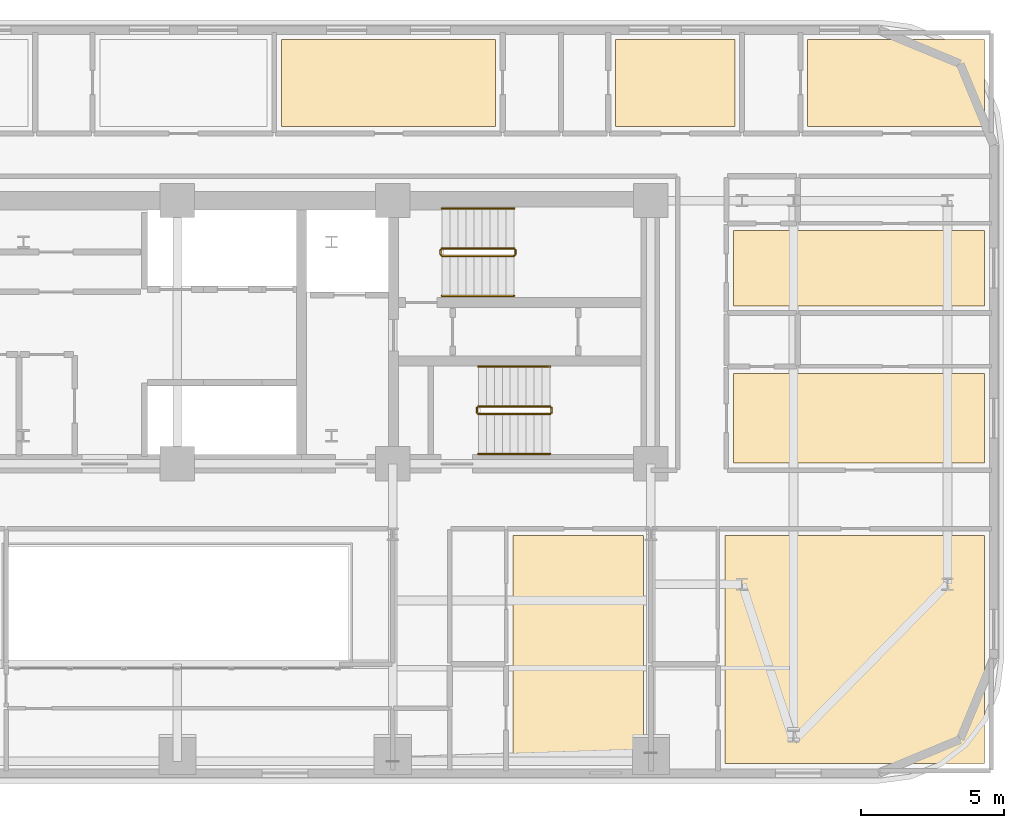
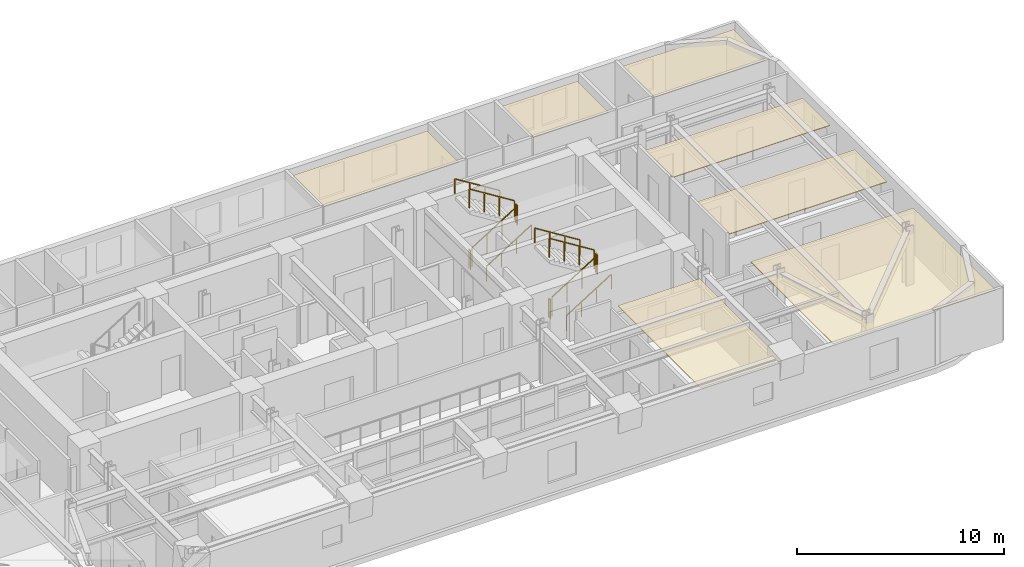
# One storey, part 16 of 16: 12 railings, 7 coverings.
"""IFC4 building model written with IfcOpenShell, lengths in metres."""

from ifc_helpers import new_model, si_unit, direction, frame, origin, origin_2d, place, context, subcontext, project, spatial, polyline, rectangle, outline, extrude, material, layer, layer_set, type_object, element, save


model = new_model("IFC4")

# Units and contexts
model_context = context("Model", 3, precision=1e-05, world=origin(), true_north=direction((0.0, 1.0)))
body_context = subcontext(model_context, "Body", "Model", "MODEL_VIEW")
ifc_project = project(units=[si_unit("LENGTHUNIT", "METRE"), si_unit("AREAUNIT", "SQUARE_METRE"), si_unit("VOLUMEUNIT", "CUBIC_METRE"), si_unit("PLANEANGLEUNIT", "RADIAN"), si_unit("MASSUNIT", "GRAM", prefix="KILO")], contexts=[model_context])

# Site, building, storey
site_placement = place(None, origin())
site = spatial("IfcSite", under=ifc_project, at=site_placement, CompositionType="ELEMENT")
building_placement = place(site_placement, origin())
building = spatial("IfcBuilding", under=site, at=building_placement, Name="Zarnavel Station Tower", CompositionType="ELEMENT")
storey_placement = place(building_placement, frame((0.0, 0.0, 94.300048828125)))
storey = spatial("IfcBuildingStorey", under=building, at=storey_placement, Name="L25", CompositionType="ELEMENT", Elevation=94.300048828125)

# Coverings
ifc_material_1 = material(Name="Perforated Gypsum and Mineral-Wool Acoustic Ceiling", Category="concrete")
ifc_layer = layer(ifc_material_1, 0.0400390625)
ifc_layer_set = layer_set([ifc_layer], Name="COV_CEIL_ACOUSTIC")
covering_type = type_object("IfcCoveringType", Name="COV_CEIL_ACOUSTIC", PredefinedType="CEILING", material=ifc_layer_set)
covering_1_placement = place(storey_placement, frame((0.0, 0.0, 2.919921875)))
element("IfcCovering", 1, at=covering_1_placement, inside=storey, type_object=covering_type, Name="L25 FNE1R Acoustic Ceiling", PredefinedType="CEILING", context=body_context, shape_type="SweptSolid", body=[
    extrude(outline(polyline([(48.300048828125, 27.85009765625), (57.090087890625, 27.85009765625), (57.090087890625, 30.986083984375), (48.300048828125, 30.986083984375), (48.300048828125, 27.85009765625)])), origin(), (0.0, 0.0, 1.0), 0.0400390625),
])
covering_2_placement = place(storey_placement, frame((0.0, 0.0, 2.919921875)))
element("IfcCovering", 2, at=covering_2_placement, inside=storey, type_object=covering_type, Name="L25 FNE2R Acoustic Ceiling", PredefinedType="CEILING", context=body_context, shape_type="SweptSolid", body=[
    extrude(outline(polyline([(48.300048828125, 33.35888671875), (57.090087890625, 33.35888671875), (57.090087890625, 36.0), (48.300048828125, 36.0), (48.300048828125, 33.35888671875)])), origin(), (0.0, 0.0, 1.0), 0.0400390625),
])
covering_3_placement = place(storey_placement, frame((0.0, 0.0, 2.919921875)))
element("IfcCovering", 3, at=covering_3_placement, inside=storey, type_object=covering_type, Name="L25 HN4R Acoustic Ceiling", PredefinedType="CEILING", context=body_context, shape_type="SweptSolid", body=[
    extrude(outline(polyline([(32.449951171875, 39.64990234375), (39.9560546875, 39.64990234375), (39.9560546875, 42.68994140625), (32.449951171875, 42.68994140625), (32.449951171875, 39.64990234375)])), origin(), (0.0, 0.0, 1.0), 0.0400390625),
])
covering_4_placement = place(storey_placement, frame((0.0, 0.0, 2.919921875)))
element("IfcCovering", 4, at=covering_4_placement, inside=storey, type_object=covering_type, Name="L25 HN5R Acoustic Ceiling", PredefinedType="CEILING", context=body_context, shape_type="SweptSolid", body=[
    extrude(outline(polyline([(44.156005859375, 39.64990234375), (48.35009765625, 39.64990234375), (48.35009765625, 42.68994140625), (44.156005859375, 42.68994140625), (44.156005859375, 39.64990234375)])), origin(), (0.0, 0.0, 1.0), 0.0400390625),
])
covering_5_placement = place(storey_placement, frame((0.0, 0.0, 2.919921875)))
element("IfcCovering", 5, at=covering_5_placement, inside=storey, type_object=covering_type, Name="L25 HN6R Acoustic Ceiling", PredefinedType="CEILING", context=body_context, shape_type="SweptSolid", body=[
    extrude(outline(polyline([(50.89990234375, 39.64990234375), (57.090087890625, 39.64990234375), (57.090087890625, 42.68994140625), (50.89990234375, 42.68994140625), (50.89990234375, 39.64990234375)])), origin(), (0.0, 0.0, 1.0), 0.0400390625),
])
covering_6_placement = place(storey_placement, frame((0.0, 0.0, 2.919921875)))
element("IfcCovering", 6, at=covering_6_placement, inside=storey, type_object=covering_type, Name="L25 HE1R Acoustic Ceiling", PredefinedType="CEILING", context=body_context, shape_type="SweptSolid", body=[
    extrude(outline(polyline([(40.573974609375, 17.31005859375), (45.14990234375, 17.31005859375), (45.14990234375, 25.300048828125), (40.573974609375, 25.300048828125), (40.573974609375, 17.31005859375)])), origin(), (0.0, 0.0, 1.0), 0.0400390625),
])
covering_7_placement = place(storey_placement, frame((0.0, 0.0, 2.919921875)))
element("IfcCovering", 7, at=covering_7_placement, inside=storey, type_object=covering_type, Name="L25 HE2R Acoustic Ceiling", PredefinedType="CEILING", context=body_context, shape_type="SweptSolid", body=[
    extrude(outline(polyline([(48.0, 17.31005859375), (57.090087890625, 17.31005859375), (57.090087890625, 25.300048828125), (48.0, 25.300048828125), (48.0, 17.31005859375)])), origin(), (0.0, 0.0, 1.0), 0.0400390625),
])

# Railings
ifc_material_2 = material(Name="Painted Steel S355J2 Balustrade", Category="steel")
railing_type_1 = type_object("IfcRailingType", Name="GR_INT_1150", PredefinedType="GUARDRAIL", material=ifc_material_2)
railing_1_placement = place(storey_placement, frame((38.080078125, 35.110107421875, 0.175048828125)))
element("IfcRailing", 8, at=railing_1_placement, inside=storey, type_object=railing_type_1, Name="L25 ST2 stair guard 1", PredefinedType="GUARDRAIL", context=body_context, shape_type="SweptSolid", body=[
    extrude(rectangle(XDim=0.048095703125, YDim=0.048095703125, at=origin_2d()), frame((0.001708984375, 0.0, 1.126953125), z_axis=(0.848007534815, 0.0, 0.529984170421), x_axis=(0.0, 1.0, 0.0)), (0.0, 0.0, 1.0), 2.9677734375),
    extrude(rectangle(XDim=0.0419921875, YDim=0.0419921875, at=origin_2d()), origin(), (0.0, 0.0, 1.0), 1.101806640625),
    extrude(rectangle(XDim=0.0419921875, YDim=0.0419921875, at=origin_2d()), frame((0.840087890625, 0.0, 0.52490234375)), (0.0, 0.0, 1.0), 1.101806640625),
    extrude(rectangle(XDim=0.0419921875, YDim=0.0419921875, at=origin_2d()), frame((1.679931640625, 0.0, 1.050048828125)), (0.0, 0.0, 1.0), 1.101806640625),
    extrude(rectangle(XDim=0.0419921875, YDim=0.0419921875, at=origin_2d()), frame((2.52001953125, 0.0, 1.574951171875)), (0.0, 0.0, 1.0), 1.101806640625),
])
railing_2_placement = place(storey_placement, frame((40.64990234375, 35.159912109375, 1.75)))
element("IfcRailing", 9, at=railing_2_placement, inside=storey, type_object=railing_type_1, Name="L25 ST2 stair guard 2", PredefinedType="GUARDRAIL", context=body_context, shape_type="SweptSolid", body=[
    extrude(rectangle(XDim=0.048095703125, YDim=0.048095703125, at=origin_2d()), frame((0.0, 0.001953125, 1.1259765625), z_axis=(0.0, 1.0, 0.0), x_axis=(-1.0, 0.0, 0.0)), (0.0, 0.0, 1.0), 0.15625),
    extrude(rectangle(XDim=0.0419921875, YDim=0.0419921875, at=origin_2d()), origin(), (0.0, 0.0, 1.0), 1.101806640625),
    extrude(rectangle(XDim=0.0419921875, YDim=0.0419921875, at=origin_2d()), frame((0.0, 0.16015625, 0.0)), (0.0, 0.0, 1.0), 1.101806640625),
])
railing_3_placement = place(storey_placement, frame((40.60009765625, 35.3701171875, 1.925048828125)))
element("IfcRailing", 10, at=railing_3_placement, inside=storey, type_object=railing_type_1, Name="L25 ST2 stair guard 3", PredefinedType="GUARDRAIL", context=body_context, shape_type="SweptSolid", body=[
    extrude(rectangle(XDim=0.048095703125, YDim=0.048095703125, at=origin_2d()), frame((-0.001708984375, 0.0, 1.126953125), z_axis=(-0.848007534815, 0.0, 0.529984170421), x_axis=(0.0, -1.0, 0.0)), (0.0, 0.0, 1.0), 2.9677734375),
    extrude(rectangle(XDim=0.0419921875, YDim=0.0419921875, at=origin_2d()), origin(), (0.0, 0.0, 1.0), 1.101806640625),
    extrude(rectangle(XDim=0.0419921875, YDim=0.0419921875, at=origin_2d()), frame((-0.840087890625, 0.0, 0.52490234375)), (0.0, 0.0, 1.0), 1.101806640625),
    extrude(rectangle(XDim=0.0419921875, YDim=0.0419921875, at=origin_2d()), frame((-1.679931640625, 0.0, 1.050048828125)), (0.0, 0.0, 1.0), 1.101806640625),
    extrude(rectangle(XDim=0.0419921875, YDim=0.0419921875, at=origin_2d()), frame((-2.52001953125, 0.0, 1.574951171875)), (0.0, 0.0, 1.0), 1.101806640625),
])
railing_4_placement = place(storey_placement, frame((38.030029296875, 35.159912109375, 0.0)))
element("IfcRailing", 11, at=railing_4_placement, inside=storey, type_object=railing_type_1, Name="L25 ST2 stair guard 4", PredefinedType="GUARDRAIL", context=body_context, shape_type="SweptSolid", body=[
    extrude(rectangle(XDim=0.048095703125, YDim=0.048095703125, at=origin_2d()), frame((0.0, 0.001953125, 1.1259765625), z_axis=(0.0, 1.0, 0.0), x_axis=(-1.0, 0.0, 0.0)), (0.0, 0.0, 1.0), 0.15625),
    extrude(rectangle(XDim=0.0419921875, YDim=0.0419921875, at=origin_2d()), origin(), (0.0, 0.0, 1.0), 1.101806640625),
    extrude(rectangle(XDim=0.0419921875, YDim=0.0419921875, at=origin_2d()), frame((0.0, 0.16015625, 0.0)), (0.0, 0.0, 1.0), 1.101806640625),
])
railing_5_placement = place(storey_placement, frame((39.35009765625, 29.570068359375, 0.175048828125)))
element("IfcRailing", 12, at=railing_5_placement, inside=storey, type_object=railing_type_1, Name="L25 ST3 stair guard 1", PredefinedType="GUARDRAIL", context=body_context, shape_type="SweptSolid", body=[
    extrude(rectangle(XDim=0.048095703125, YDim=0.048095703125, at=origin_2d()), frame((0.001708984375, 0.0, 1.126953125), z_axis=(0.848007534815, 0.0, 0.529984170421), x_axis=(0.0, 1.0, 0.0)), (0.0, 0.0, 1.0), 2.9677734375),
    extrude(rectangle(XDim=0.0419921875, YDim=0.0419921875, at=origin_2d()), origin(), (0.0, 0.0, 1.0), 1.101806640625),
    extrude(rectangle(XDim=0.0419921875, YDim=0.0419921875, at=origin_2d()), frame((0.840087890625, 0.0, 0.52490234375)), (0.0, 0.0, 1.0), 1.101806640625),
    extrude(rectangle(XDim=0.0419921875, YDim=0.0419921875, at=origin_2d()), frame((1.679931640625, 0.0, 1.050048828125)), (0.0, 0.0, 1.0), 1.101806640625),
    extrude(rectangle(XDim=0.0419921875, YDim=0.0419921875, at=origin_2d()), frame((2.52001953125, 0.0, 1.574951171875)), (0.0, 0.0, 1.0), 1.101806640625),
])
railing_6_placement = place(storey_placement, frame((41.919921875, 29.6201171875, 1.75)))
element("IfcRailing", 13, at=railing_6_placement, inside=storey, type_object=railing_type_1, Name="L25 ST3 stair guard 2", PredefinedType="GUARDRAIL", context=body_context, shape_type="SweptSolid", body=[
    extrude(rectangle(XDim=0.048095703125, YDim=0.048095703125, at=origin_2d()), frame((0.0, 0.001953125, 1.1259765625), z_axis=(0.0, 1.0, 0.0), x_axis=(-1.0, 0.0, 0.0)), (0.0, 0.0, 1.0), 0.156005859375),
    extrude(rectangle(XDim=0.0419921875, YDim=0.0419921875, at=origin_2d()), origin(), (0.0, 0.0, 1.0), 1.101806640625),
    extrude(rectangle(XDim=0.0419921875, YDim=0.0419921875, at=origin_2d()), frame((0.0, 0.159912109375, 0.0)), (0.0, 0.0, 1.0), 1.101806640625),
])
railing_7_placement = place(storey_placement, frame((41.8701171875, 29.830078125, 1.925048828125)))
element("IfcRailing", 14, at=railing_7_placement, inside=storey, type_object=railing_type_1, Name="L25 ST3 stair guard 3", PredefinedType="GUARDRAIL", context=body_context, shape_type="SweptSolid", body=[
    extrude(rectangle(XDim=0.048095703125, YDim=0.048095703125, at=origin_2d()), frame((-0.001708984375, 0.0, 1.126953125), z_axis=(-0.848007534815, 0.0, 0.529984170421), x_axis=(0.0, -1.0, 0.0)), (0.0, 0.0, 1.0), 2.9677734375),
    extrude(rectangle(XDim=0.0419921875, YDim=0.0419921875, at=origin_2d()), origin(), (0.0, 0.0, 1.0), 1.101806640625),
    extrude(rectangle(XDim=0.0419921875, YDim=0.0419921875, at=origin_2d()), frame((-0.840087890625, 0.0, 0.52490234375)), (0.0, 0.0, 1.0), 1.101806640625),
    extrude(rectangle(XDim=0.0419921875, YDim=0.0419921875, at=origin_2d()), frame((-1.679931640625, 0.0, 1.050048828125)), (0.0, 0.0, 1.0), 1.101806640625),
    extrude(rectangle(XDim=0.0419921875, YDim=0.0419921875, at=origin_2d()), frame((-2.52001953125, 0.0, 1.574951171875)), (0.0, 0.0, 1.0), 1.101806640625),
])
railing_8_placement = place(storey_placement, frame((39.300048828125, 29.6201171875, 0.0)))
element("IfcRailing", 15, at=railing_8_placement, inside=storey, type_object=railing_type_1, Name="L25 ST3 stair guard 4", PredefinedType="GUARDRAIL", context=body_context, shape_type="SweptSolid", body=[
    extrude(rectangle(XDim=0.048095703125, YDim=0.048095703125, at=origin_2d()), frame((0.0, 0.001953125, 1.1259765625), z_axis=(0.0, 1.0, 0.0), x_axis=(-1.0, 0.0, 0.0)), (0.0, 0.0, 1.0), 0.156005859375),
    extrude(rectangle(XDim=0.0419921875, YDim=0.0419921875, at=origin_2d()), origin(), (0.0, 0.0, 1.0), 1.101806640625),
    extrude(rectangle(XDim=0.0419921875, YDim=0.0419921875, at=origin_2d()), frame((0.0, 0.159912109375, 0.0)), (0.0, 0.0, 1.0), 1.101806640625),
])
ifc_material_3 = material(Name="Brushed Stainless Steel S355J2 Handrail", Category="steel")
railing_type_2 = type_object("IfcRailingType", Name="HR_STAIR_900", PredefinedType="HANDRAIL", material=ifc_material_3)
railing_9_placement = place(storey_placement, frame((38.080078125, 33.7099609375, 0.175048828125)))
element("IfcRailing", 16, at=railing_9_placement, inside=storey, type_object=railing_type_2, Name="L25 ST2 stair handrail 1", PredefinedType="HANDRAIL", context=body_context, shape_type="SweptSolid", body=[
    extrude(rectangle(XDim=0.048095703125, YDim=0.048095703125, at=origin_2d()), frame((0.001708984375, 0.0, 0.876953125), z_axis=(0.848007534815, 0.0, 0.529984170421), x_axis=(0.0, 1.0, 0.0)), (0.0, 0.0, 1.0), 2.9677734375),
    extrude(rectangle(XDim=0.0419921875, YDim=0.0419921875, at=origin_2d()), origin(), (0.0, 0.0, 1.0), 0.851806640625),
    extrude(rectangle(XDim=0.0419921875, YDim=0.0419921875, at=origin_2d()), frame((0.840087890625, 0.0, 0.52490234375)), (0.0, 0.0, 1.0), 0.851806640625),
    extrude(rectangle(XDim=0.0419921875, YDim=0.0419921875, at=origin_2d()), frame((1.679931640625, 0.0, 1.050048828125)), (0.0, 0.0, 1.0), 0.851806640625),
    extrude(rectangle(XDim=0.0419921875, YDim=0.0419921875, at=origin_2d()), frame((2.52001953125, 0.0, 1.574951171875)), (0.0, 0.0, 1.0), 0.851806640625),
])
railing_10_placement = place(storey_placement, frame((40.60009765625, 36.77001953125, 1.925048828125)))
element("IfcRailing", 17, at=railing_10_placement, inside=storey, type_object=railing_type_2, Name="L25 ST2 stair handrail 2", PredefinedType="HANDRAIL", context=body_context, shape_type="SweptSolid", body=[
    extrude(rectangle(XDim=0.048095703125, YDim=0.048095703125, at=origin_2d()), frame((-0.001708984375, 0.0, 0.876953125), z_axis=(-0.848007534815, 0.0, 0.529984170421), x_axis=(0.0, -1.0, 0.0)), (0.0, 0.0, 1.0), 2.9677734375),
    extrude(rectangle(XDim=0.0419921875, YDim=0.0419921875, at=origin_2d()), origin(), (0.0, 0.0, 1.0), 0.851806640625),
    extrude(rectangle(XDim=0.0419921875, YDim=0.0419921875, at=origin_2d()), frame((-0.840087890625, 0.0, 0.52490234375)), (0.0, 0.0, 1.0), 0.851806640625),
    extrude(rectangle(XDim=0.0419921875, YDim=0.0419921875, at=origin_2d()), frame((-1.679931640625, 0.0, 1.050048828125)), (0.0, 0.0, 1.0), 0.851806640625),
    extrude(rectangle(XDim=0.0419921875, YDim=0.0419921875, at=origin_2d()), frame((-2.52001953125, 0.0, 1.574951171875)), (0.0, 0.0, 1.0), 0.851806640625),
])
railing_11_placement = place(storey_placement, frame((39.35009765625, 28.169921875, 0.175048828125)))
element("IfcRailing", 18, at=railing_11_placement, inside=storey, type_object=railing_type_2, Name="L25 ST3 stair handrail 1", PredefinedType="HANDRAIL", context=body_context, shape_type="SweptSolid", body=[
    extrude(rectangle(XDim=0.048095703125, YDim=0.048095703125, at=origin_2d()), frame((0.001708984375, 0.0, 0.876953125), z_axis=(0.848007534815, 0.0, 0.529984170421), x_axis=(0.0, 1.0, 0.0)), (0.0, 0.0, 1.0), 2.9677734375),
    extrude(rectangle(XDim=0.0419921875, YDim=0.0419921875, at=origin_2d()), origin(), (0.0, 0.0, 1.0), 0.851806640625),
    extrude(rectangle(XDim=0.0419921875, YDim=0.0419921875, at=origin_2d()), frame((0.840087890625, 0.0, 0.52490234375)), (0.0, 0.0, 1.0), 0.851806640625),
    extrude(rectangle(XDim=0.0419921875, YDim=0.0419921875, at=origin_2d()), frame((1.679931640625, 0.0, 1.050048828125)), (0.0, 0.0, 1.0), 0.851806640625),
    extrude(rectangle(XDim=0.0419921875, YDim=0.0419921875, at=origin_2d()), frame((2.52001953125, 0.0, 1.574951171875)), (0.0, 0.0, 1.0), 0.851806640625),
])
railing_12_placement = place(storey_placement, frame((41.8701171875, 31.22998046875, 1.925048828125)))
element("IfcRailing", 19, at=railing_12_placement, inside=storey, type_object=railing_type_2, Name="L25 ST3 stair handrail 2", PredefinedType="HANDRAIL", context=body_context, shape_type="SweptSolid", body=[
    extrude(rectangle(XDim=0.048095703125, YDim=0.048095703125, at=origin_2d()), frame((-0.001708984375, 0.0, 0.876953125), z_axis=(-0.848007534815, 0.0, 0.529984170421), x_axis=(0.0, -1.0, 0.0)), (0.0, 0.0, 1.0), 2.9677734375),
    extrude(rectangle(XDim=0.0419921875, YDim=0.0419921875, at=origin_2d()), origin(), (0.0, 0.0, 1.0), 0.851806640625),
    extrude(rectangle(XDim=0.0419921875, YDim=0.0419921875, at=origin_2d()), frame((-0.840087890625, 0.0, 0.52490234375)), (0.0, 0.0, 1.0), 0.851806640625),
    extrude(rectangle(XDim=0.0419921875, YDim=0.0419921875, at=origin_2d()), frame((-1.679931640625, 0.0, 1.050048828125)), (0.0, 0.0, 1.0), 0.851806640625),
    extrude(rectangle(XDim=0.0419921875, YDim=0.0419921875, at=origin_2d()), frame((-2.52001953125, 0.0, 1.574951171875)), (0.0, 0.0, 1.0), 0.851806640625),
])

save(model, "model.ifc")
